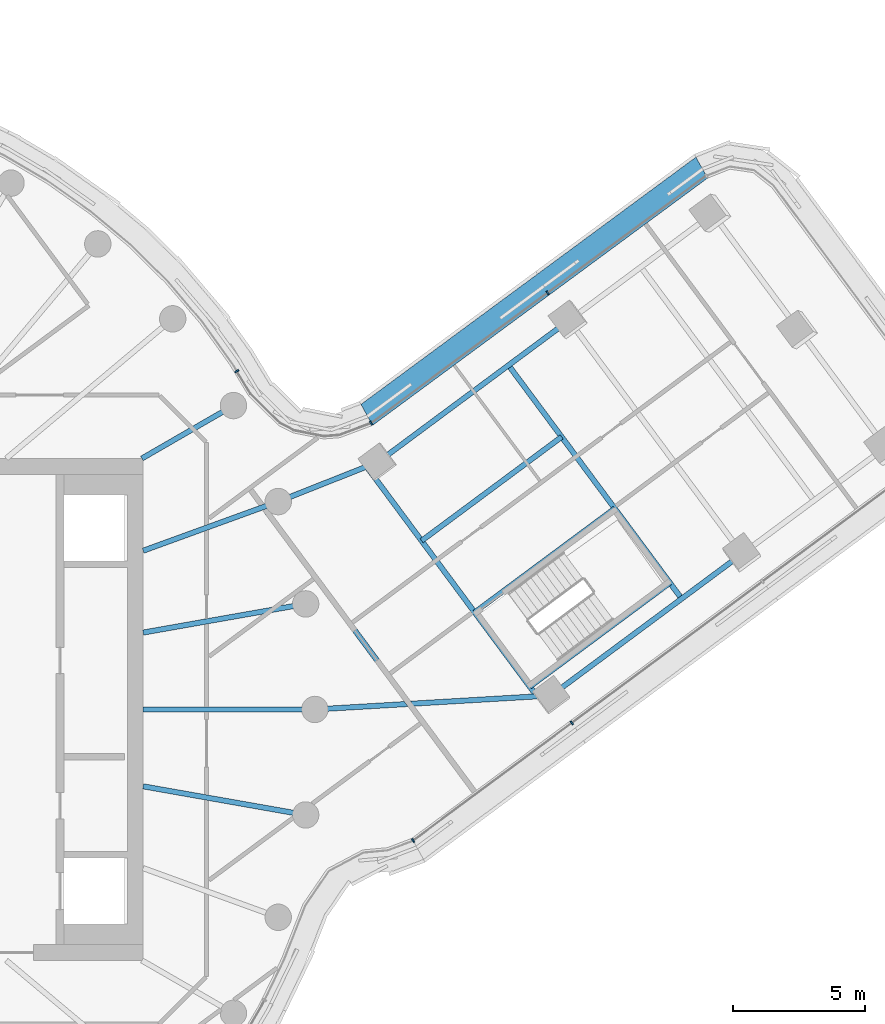
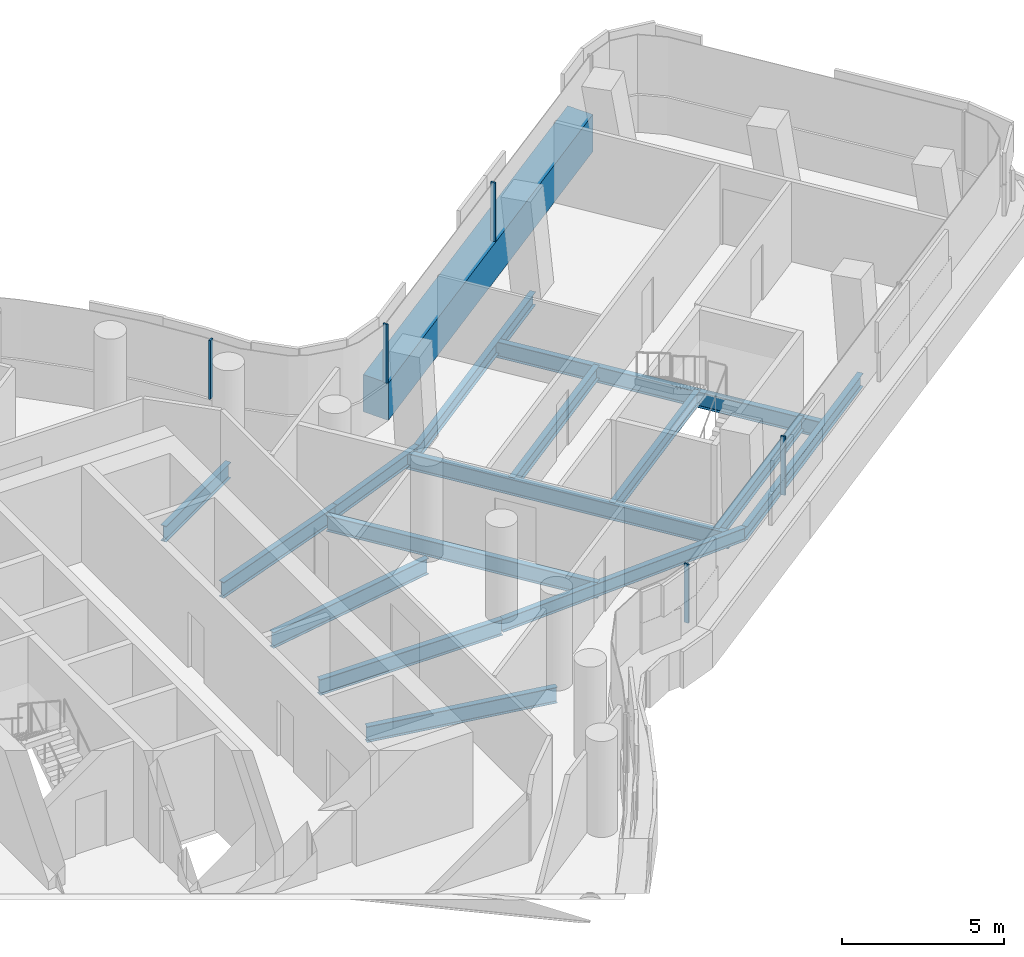
# One storey, part 12 of 32: 15 beams, 6 members, 3 elements without a shape of their own.
"""IFC4 building model written with IfcOpenShell, lengths in metres."""

import ifcopenshell
import ifcopenshell.guid

model = None  # the IFC model being written
_history = None  # IfcOwnerHistory: only IFC2X3 demands one
_inside = {}  # id of a spatial element -> (the spatial element, [elements in it])
_under = {}  # id of a project, library or spatial element -> (it, [spatial elements below it])
_declared = {}  # id of a project -> (the project, [libraries it declares])
_typed = {}  # id of a type object -> (the type object, [elements of that type])
_made_of = {}  # id of a material, layer set ... -> (it, [elements and type objects made of it])


def new_model(schema):
    """Start an empty IFC model of exactly this schema.

    Asked for "IFC4X3", IfcOpenShell would pick the latest addendum, in which some entities
    have other attributes; the version numbers below select the first issue.
    IFC2X3 requires an IfcOwnerHistory on every rooted entity: one is made here for all.
    """
    global model, _history
    if schema == "IFC4X3":
        model = ifcopenshell.file(schema_version=(4, 3, 0, 0))
    else:
        model = ifcopenshell.file(schema=schema)
    _inside.clear()
    _under.clear()
    _declared.clear()
    _typed.clear()
    _made_of.clear()
    _history = None
    if model.schema == "IFC2X3":
        org = make("IfcOrganization", Name="unknown")
        user = make(
            "IfcPersonAndOrganization",
            ThePerson=make("IfcPerson", FamilyName="unknown"),
            TheOrganization=org,
        )
        app = make(
            "IfcApplication",
            ApplicationDeveloper=org,
            Version="unknown",
            ApplicationFullName="unknown",
            ApplicationIdentifier="unknown",
        )
        _history = make(
            "IfcOwnerHistory",
            OwningUser=user,
            OwningApplication=app,
            ChangeAction="ADDED",
            CreationDate=0,
        )
    return model


def make(cls, **values):
    """One entity of the class cls with the attributes given. An attribute that is None is left unset."""
    return model.create_entity(
        cls, **{name: value for name, value in values.items() if value is not None}
    )


def rooted(cls, **values):
    """An entity with a GlobalId (a new one), such as an element, a storey or a relation."""
    return make(cls, GlobalId=ifcopenshell.guid.new(), OwnerHistory=_history, **values)


def si_unit(unit_type, name, prefix=None):
    """IfcSIUnit, for example si_unit("LENGTHUNIT", "METRE", prefix="MILLI")."""
    return make("IfcSIUnit", UnitType=unit_type, Prefix=prefix, Name=name)


def assignment(units):
    """IfcUnitAssignment: the units of a project."""
    return None if units is None else make("IfcUnitAssignment", Units=units)


def point(xyz):
    """IfcCartesianPoint."""
    return None if xyz is None else make("IfcCartesianPoint", Coordinates=xyz)


def direction(xyz):
    """IfcDirection."""
    return None if xyz is None else make("IfcDirection", DirectionRatios=xyz)


def frame(location, z_axis=None, x_axis=None):
    """IfcAxis2Placement3D, a coordinate frame: its origin and axes. An axis left out is left unset."""
    return make(
        "IfcAxis2Placement3D",
        Location=point(location),
        Axis=direction(z_axis),
        RefDirection=direction(x_axis),
    )


def frame_2d(location, x_axis=None):
    """IfcAxis2Placement2D, a coordinate frame in the plane: its origin and x axis."""
    return make(
        "IfcAxis2Placement2D", Location=point(location), RefDirection=direction(x_axis)
    )


def origin():
    """The frame at (0, 0, 0) with its axes left unset."""
    return frame((0.0, 0.0, 0.0))


def origin_2d():
    """The frame at (0, 0) in the plane with its x axis left unset."""
    return frame_2d((0.0, 0.0))


def place(relative_to, where):
    """IfcLocalPlacement: puts the frame where relative to a parent placement (None: the world)."""
    return make(
        "IfcLocalPlacement", PlacementRelTo=relative_to, RelativePlacement=where
    )


def context(
    kind, dimensions, precision=None, world=None, true_north=None, identifier=None
):
    """IfcGeometricRepresentationContext, for example the 3D "Model" context."""
    return make(
        "IfcGeometricRepresentationContext",
        ContextIdentifier=identifier,
        ContextType=kind,
        CoordinateSpaceDimension=dimensions,
        Precision=precision,
        WorldCoordinateSystem=world,
        TrueNorth=true_north,
    )


def subcontext(parent, identifier, kind, view, scale=None):
    """IfcGeometricRepresentationSubContext, for example "Body" below "Model"."""
    return make(
        "IfcGeometricRepresentationSubContext",
        ContextIdentifier=identifier,
        ContextType=kind,
        ParentContext=parent,
        TargetScale=scale,
        TargetView=view,
    )


def project(units=None, contexts=None):
    """IfcProject with its units and contexts."""
    return rooted(
        "IfcProject",
        Name="project",
        RepresentationContexts=contexts,
        UnitsInContext=assignment(units),
    )


def spatial(cls, under=None, at=None, **own):
    """A site, building, storey or space (cls), placed at a placement, below another one or the project."""
    s = rooted(cls, ObjectPlacement=at, **own)
    if under is not None:
        _under.setdefault(under.id(), (under, []))[1].append(s)
    return s


def polyline(points):
    """IfcPolyline through the points."""
    return make("IfcPolyline", Points=[point(p) for p in points])


def profile(cls, at=None, kind="AREA", **sizes):
    """A parametric profile (cls). Its sizes go by their IFC names, for example OverallWidth=200.0."""
    return make(cls, ProfileType=kind, Position=at, **sizes)


def rectangle(**sizes):
    """IfcRectangleProfileDef."""
    return profile("IfcRectangleProfileDef", **sizes)


def i_section(**sizes):
    """IfcIShapeProfileDef."""
    return profile("IfcIShapeProfileDef", **sizes)


def outline(outer, holes=None, kind="AREA"):
    """IfcArbitraryClosedProfileDef: a profile drawn as a closed curve; with holes, ...WithVoids."""
    if holes is None:
        return make("IfcArbitraryClosedProfileDef", ProfileType=kind, OuterCurve=outer)
    return make(
        "IfcArbitraryProfileDefWithVoids",
        ProfileType=kind,
        OuterCurve=outer,
        InnerCurves=holes,
    )


def extrude(swept, where, along, depth):
    """IfcExtrudedAreaSolid: the profile swept, set in the frame where, extruded along a direction by depth."""
    return make(
        "IfcExtrudedAreaSolid",
        SweptArea=swept,
        Position=where,
        ExtrudedDirection=direction(along),
        Depth=depth,
    )


def shape(context_of_items, identifier, shape_type, items):
    """IfcShapeRepresentation: the items that make up one representation, for example the "Body"."""
    return make(
        "IfcShapeRepresentation",
        ContextOfItems=context_of_items,
        RepresentationIdentifier=identifier,
        RepresentationType=shape_type,
        Items=items,
    )


def material(Name=None, Category=None):
    """IfcMaterial."""
    return make("IfcMaterial", Name=Name, Category=Category)


def layer(
    of_material, thickness, ventilated=None, Name=None, Category=None, Priority=None
):
    """IfcMaterialLayer: one layer of a wall or slab, of a material (None: an air gap)."""
    return make(
        "IfcMaterialLayer",
        Material=of_material,
        LayerThickness=thickness,
        IsVentilated=ventilated,
        Name=Name,
        Category=Category,
        Priority=Priority,
    )


def layer_set(layers, Name=None):
    """IfcMaterialLayerSet."""
    return make("IfcMaterialLayerSet", MaterialLayers=layers, LayerSetName=Name)


def material_profile(
    of_material, cross_section, Name=None, Category=None, Priority=None
):
    """IfcMaterialProfile: a cross section and its material."""
    return make(
        "IfcMaterialProfile",
        Name=Name,
        Material=of_material,
        Profile=cross_section,
        Priority=Priority,
        Category=Category,
    )


def profile_set(profiles, Name=None, composite=None):
    """IfcMaterialProfileSet."""
    return make(
        "IfcMaterialProfileSet",
        Name=Name,
        MaterialProfiles=profiles,
        CompositeProfile=composite,
    )


def made_of(thing, what):
    """Note that an element or type object is made of a material, layer set ...; save() writes the relation."""
    if what is not None:
        _made_of.setdefault(what.id(), (what, []))[1].append(thing)
    return thing


def type_object(cls, material=None, **own):
    """A type object (cls), such as IfcWallType, which elements share."""
    return made_of(rooted(cls, **own), material)


def element(
    cls,
    number,
    at=None,
    inside=None,
    cuts=None,
    type_object=None,
    material=None,
    context=None,
    identifier="Body",
    shape_type=None,
    held_by="IfcProductDefinitionShape",
    body=None,
    shapes=None,
    **own,
):
    """One element of the class cls, such as IfcWall. Its Tag is "e" and its number.

    at: its placement. inside: the storey or other place that contains it. cuts: it is an
    opening in that element (IfcRelVoidsElement). A single representation is given by context,
    identifier, shape_type and body (its items); several are given by shapes. held_by: the class
    of the entity that holds the representations. save() writes the other relations.
    """
    e = rooted(cls, Tag="e%d" % number, ObjectPlacement=at, **own)
    if body is not None:
        shapes = [shape(context, identifier, shape_type, body)]
    if shapes is not None:
        e.Representation = make(held_by, Representations=shapes)
    if inside is not None:
        _inside.setdefault(inside.id(), (inside, []))[1].append(e)
    if cuts is not None:
        rooted(
            "IfcRelVoidsElement", RelatingBuildingElement=cuts, RelatedOpeningElement=e
        )
    if type_object is not None:
        _typed.setdefault(type_object.id(), (type_object, []))[1].append(e)
    return made_of(e, material)


def aggregate(whole, parts):
    """IfcRelAggregates: a whole, such as a stair, and the parts it consists of."""
    return rooted("IfcRelAggregates", RelatingObject=whole, RelatedObjects=parts)


def save(model, path):
    """Write the relations noted so far, then the file.

    IfcRelAggregates (storeys below a building ...), IfcRelContainedInSpatialStructure (elements
    in a storey), IfcRelDefinesByType, IfcRelAssociatesMaterial and IfcRelDeclares: one each for
    every whole, place, type object, material and project.
    """
    for whole, parts in _under.values():
        aggregate(whole, parts)
    for where, things in _inside.values():
        rooted(
            "IfcRelContainedInSpatialStructure",
            RelatedElements=things,
            RelatingStructure=where,
        )
    for kind, things in _typed.values():
        rooted("IfcRelDefinesByType", RelatedObjects=things, RelatingType=kind)
    for what, things in _made_of.values():
        rooted("IfcRelAssociatesMaterial", RelatedObjects=things, RelatingMaterial=what)
    for by, libraries in _declared.values():
        rooted("IfcRelDeclares", RelatingContext=by, RelatedDefinitions=libraries)
    model.write(path)


model = new_model("IFC4")

# Units and contexts
model_context = context("Model", 3, precision=1e-05, world=origin(), true_north=direction((0.0, 1.0)))
body_context = subcontext(model_context, "Body", "Model", "MODEL_VIEW")
ifc_project = project(units=[si_unit("LENGTHUNIT", "METRE"), si_unit("AREAUNIT", "SQUARE_METRE"), si_unit("VOLUMEUNIT", "CUBIC_METRE"), si_unit("PLANEANGLEUNIT", "RADIAN"), si_unit("MASSUNIT", "GRAM", prefix="KILO")], contexts=[model_context])

# Site, building, storey
site_placement = place(None, origin())
site = spatial("IfcSite", under=ifc_project, at=site_placement, CompositionType="ELEMENT")
building_placement = place(site_placement, origin())
building = spatial("IfcBuilding", under=site, at=building_placement, Name="Tamarind Cross Interchange Tower", CompositionType="ELEMENT")
storey_placement = place(building_placement, frame((0.0, 0.0, 166.75)))
storey = spatial("IfcBuildingStorey", under=building, at=storey_placement, Name="L41", CompositionType="ELEMENT", Elevation=166.75)

# Beams
ifc_material_1 = material(Name="Steel Q355B", Category="steel")
ifc_material_profile_1 = material_profile(ifc_material_1, i_section(OverallWidth=0.198974609375, OverallDepth=0.49609375, WebThickness=0.009033203125, FlangeThickness=0.013916015625, FilletRadius=0.012939453125, at=origin_2d()), Name="HN 496x199x9x14")
ifc_profile_set_1 = profile_set([ifc_material_profile_1], Name="Steel Q355B")
beam_type_1 = type_object("IfcBeamType", Name="Composite beam HN 496x199x9x14 Q355B", PredefinedType="BEAM", material=ifc_profile_set_1)
beam_1_placement = place(storey_placement, frame((39.17138671875, 5.8896484375, -0.387939453125), z_axis=(-0.803152878036, -0.595772989067, 0.0), x_axis=(0.595772989067, -0.803152878036, 0.0)))
element("IfcBeam", 1, at=beam_1_placement, inside=storey, type_object=beam_type_1, Name="Beam E-edgeem6", PredefinedType="BEAM", context=body_context, shape_type="SweptSolid", body=[
    extrude(i_section(OverallWidth=0.198974609375, OverallDepth=0.49609375, WebThickness=0.009033203125, FlangeThickness=0.013916015625, FilletRadius=0.012939453125, at=origin_2d()), origin(), (0.0, 0.0, 1.0), 9.000244140625),
])
beam_2_placement = place(storey_placement, frame((32.61767578125, 14.724365234375, -0.387939453125), z_axis=(-0.803143249396, -0.595785969078, 0.0), x_axis=(0.595785969078, -0.803143249396, 0.0)))
element("IfcBeam", 2, at=beam_2_placement, inside=storey, type_object=beam_type_1, Name="Beam E-edgeep3", PredefinedType="BEAM", context=body_context, shape_type="SweptSolid", body=[
    extrude(i_section(OverallWidth=0.198974609375, OverallDepth=0.49609375, WebThickness=0.009033203125, FlangeThickness=0.013916015625, FilletRadius=0.012939453125, at=origin_2d()), origin(), (0.0, 0.0, 1.0), 9.0),
])
beam_3_placement = place(storey_placement, frame((31.94287109375, 0.527587890625, -0.387939453125), z_axis=(-0.998264303254, -0.058892960943, 0.0), x_axis=(0.058892960943, -0.998264303254, 0.0)))
element("IfcBeam", 3, at=beam_3_placement, inside=storey, type_object=beam_type_1, Name="Beam E-linkem", PredefinedType="BEAM", context=body_context, shape_type="SweptSolid", body=[
    extrude(i_section(OverallWidth=0.198974609375, OverallDepth=0.49609375, WebThickness=0.009033203125, FlangeThickness=0.013916015625, FilletRadius=0.012939453125, at=origin_2d()), origin(), (0.0, 0.0, 1.0), 8.95849609375),
])
beam_4_placement = place(storey_placement, frame((25.389404296875, 9.3623046875, -0.387939453125), z_axis=(-0.929719168177, -0.368269287783, 0.0), x_axis=(0.368269287783, -0.929719168177, 0.0)))
element("IfcBeam", 4, at=beam_4_placement, inside=storey, type_object=beam_type_1, Name="Beam E-linkep", PredefinedType="BEAM", context=body_context, shape_type="SweptSolid", body=[
    extrude(i_section(OverallWidth=0.198974609375, OverallDepth=0.49609375, WebThickness=0.009033203125, FlangeThickness=0.013916015625, FilletRadius=0.012939453125, at=origin_2d()), origin(), (0.0, 0.0, 1.0), 4.061767578125),
])
for number, where, z_axis, x_axis, name in (
    (5, (31.134765625, 0.86181640625, -0.387939453125), (0.803149415481, 0.595777656859, 0.0), (-0.595777656859, 0.803149415481, 0.0), "Beam E-tr0"),
    (6, (29.049560546875, 3.6728515625, -0.387939453125), (0.803149415481, 0.595777656859, 0.0), (-0.595777656859, 0.803149415481, 0.0), "Beam E-tr1"),
    (7, (27.038818359375, 6.383544921875, -0.387939453125), (0.803149415481, 0.595777656859, 0.0), (-0.595777656859, 0.803149415481, 0.0), "Beam E-stripp"),
):
    element("IfcBeam", number, at=place(storey_placement, frame(where, z_axis=z_axis, x_axis=x_axis)), inside=storey, type_object=beam_type_1, Name=name, PredefinedType="BEAM", context=body_context, shape_type="SweptSolid", body=[
        extrude(i_section(OverallWidth=0.198974609375, OverallDepth=0.49609375, WebThickness=0.009033203125, FlangeThickness=0.013916015625, FilletRadius=0.012939453125, at=origin_2d()), origin(), (0.0, 0.0, 1.0), 6.60009765625),
    ])
ifc_material_profile_2 = material_profile(ifc_material_1, i_section(OverallWidth=0.198974609375, OverallDepth=0.595947265625, WebThickness=0.010009765625, FlangeThickness=0.014892578125, FilletRadius=0.012939453125, at=origin_2d()), Name="HN 596x199x10x15")
ifc_profile_set_2 = profile_set([ifc_material_profile_2], Name="Steel Q355B")
beam_type_2 = type_object("IfcBeamType", Name="Composite beam HN 596x199x10x15 Q355B", PredefinedType="BEAM", material=ifc_profile_set_2)
beam_5_placement = place(storey_placement, frame((23.0, 0.0, -0.43798828125), z_axis=(-1.0, 0.0, 0.0), x_axis=(0.0, -1.0, 0.0)))
element("IfcBeam", 8, at=beam_5_placement, inside=storey, type_object=beam_type_2, Name="Beam HH00", PredefinedType="BEAM", context=body_context, shape_type="SweptSolid", body=[
    extrude(i_section(OverallWidth=0.198974609375, OverallDepth=0.595947265625, WebThickness=0.010009765625, FlangeThickness=0.014892578125, FilletRadius=0.012939453125, at=origin_2d()), origin(), (0.0, 0.0, 1.0), 6.5),
])
beam_6_placement = place(storey_placement, frame((22.650634765625, 3.993896484375, -0.43798828125), z_axis=(-0.984809127561, -0.173640382036, 0.0), x_axis=(0.173640382036, -0.984809127561, 0.0)))
element("IfcBeam", 9, at=beam_6_placement, inside=storey, type_object=beam_type_2, Name="Beam HH01", PredefinedType="BEAM", context=body_context, shape_type="SweptSolid", body=[
    extrude(i_section(OverallWidth=0.198974609375, OverallDepth=0.595947265625, WebThickness=0.010009765625, FlangeThickness=0.014892578125, FilletRadius=0.012939453125, at=origin_2d()), origin(), (0.0, 0.0, 1.0), 6.24560546875),
])
beam_7_placement = place(storey_placement, frame((21.613037109375, 7.866455078125, -0.43798828125), z_axis=(-0.939701685589, -0.341995236956, 0.0), x_axis=(0.341995236956, -0.939701685589, 0.0)))
element("IfcBeam", 10, at=beam_7_placement, inside=storey, type_object=beam_type_2, Name="Beam HH02", PredefinedType="BEAM", context=body_context, shape_type="SweptSolid", body=[
    extrude(i_section(OverallWidth=0.198974609375, OverallDepth=0.595947265625, WebThickness=0.010009765625, FlangeThickness=0.014892578125, FilletRadius=0.012939453125, at=origin_2d()), origin(), (0.0, 0.0, 1.0), 5.441162109375),
])
beam_8_placement = place(storey_placement, frame((19.918701171875, 11.5, -0.43798828125), z_axis=(-0.866026010844, -0.49999894854, 0.0), x_axis=(0.49999894854, -0.866026010844, 0.0)))
element("IfcBeam", 11, at=beam_8_placement, inside=storey, type_object=beam_type_2, Name="Beam HH03", PredefinedType="BEAM", context=body_context, shape_type="SweptSolid", body=[
    extrude(i_section(OverallWidth=0.198974609375, OverallDepth=0.595947265625, WebThickness=0.010009765625, FlangeThickness=0.014892578125, FilletRadius=0.012939453125, at=origin_2d()), origin(), (0.0, 0.0, 1.0), 4.0),
])
beam_9_placement = place(storey_placement, frame((22.650634765625, -3.993896484375, -0.43798828125), z_axis=(-0.984809127561, 0.173640382036, 0.0), x_axis=(-0.173640382036, -0.984809127561, 0.0)))
element("IfcBeam", 12, at=beam_9_placement, inside=storey, type_object=beam_type_2, Name="Beam HH35", PredefinedType="BEAM", context=body_context, shape_type="SweptSolid", body=[
    extrude(i_section(OverallWidth=0.198974609375, OverallDepth=0.595947265625, WebThickness=0.010009765625, FlangeThickness=0.014892578125, FilletRadius=0.012939453125, at=origin_2d()), origin(), (0.0, 0.0, 1.0), 6.24560546875),
])
ifc_material_profile_3 = material_profile(ifc_material_1, i_section(OverallWidth=0.199951171875, OverallDepth=0.60009765625, WebThickness=0.010986328125, FlangeThickness=0.01708984375, FilletRadius=0.012939453125, at=origin_2d()), Name="HN 600x200x11x17")
ifc_profile_set_3 = profile_set([ifc_material_profile_3], Name="Steel Q355B")
beam_type_3 = type_object("IfcBeamType", Name="Composite beam HN 600x200x11x17 Q355B", PredefinedType="BEAM", material=ifc_profile_set_3)
beam_10_placement = place(storey_placement, frame((31.406005859375, 0.495849609375, -0.43994140625), z_axis=(-0.59576997333, 0.80315511508, 0.0), x_axis=(-0.80315511508, -0.59576997333, 0.0)))
element("IfcBeam", 13, at=beam_10_placement, inside=storey, type_object=beam_type_3, Name="Beam E-x298", PredefinedType="BEAM", context=body_context, shape_type="SweptSolid", body=[
    extrude(i_section(OverallWidth=0.199951171875, OverallDepth=0.60009765625, WebThickness=0.010986328125, FlangeThickness=0.01708984375, FilletRadius=0.012939453125, at=origin_2d()), origin(), (0.0, 0.0, 1.0), 10.825927734375),
])
beam_11_placement = place(storey_placement, frame((36.88232421875, 4.191650390625, -0.43994140625), z_axis=(-0.595769344603, 0.803155581461, 0.0), x_axis=(-0.803155581461, -0.595769344603, 0.0)))
element("IfcBeam", 14, at=beam_11_placement, inside=storey, type_object=beam_type_3, Name="Beam E-x364", PredefinedType="BEAM", context=body_context, shape_type="SweptSolid", body=[
    extrude(i_section(OverallWidth=0.199951171875, OverallDepth=0.60009765625, WebThickness=0.010986328125, FlangeThickness=0.01708984375, FilletRadius=0.012939453125, at=origin_2d()), origin(), (0.0, 0.0, 1.0), 11.0),
])
beam_12_placement = place(storey_placement, frame((26.574951171875, 0.2109375, -0.43994140625), z_axis=(-0.595787229187, 0.803142314623, 0.0), x_axis=(-0.803142314623, -0.595787229187, 0.0)))
element("IfcBeam", 15, at=beam_12_placement, inside=storey, type_object=beam_type_3, Name="Beam E-x258", PredefinedType="BEAM", context=body_context, shape_type="SweptSolid", body=[
    extrude(i_section(OverallWidth=0.199951171875, OverallDepth=0.60009765625, WebThickness=0.010986328125, FlangeThickness=0.01708984375, FilletRadius=0.012939453125, at=origin_2d()), origin(), (0.0, 0.0, 1.0), 9.10498046875),
])

# Curtain wall, members
ifc_material_2 = material(Name="Aluminium 6063-T6", Category="aluminium")
ifc_layer = layer(ifc_material_2, 0.159912109375)
ifc_layer_set = layer_set([ifc_layer], Name="Aluminium 6063-T6")
curtain_wall_type = type_object("IfcCurtainWallType", Name="Office curtain wall, 9.0 m bays", PredefinedType="NOTDEFINED", material=ifc_layer_set)
curtain_wall_1_placement = place(storey_placement, origin())
curtain_wall_1 = element("IfcCurtainWall", 16, at=curtain_wall_1_placement, inside=storey, type_object=curtain_wall_type, Name="CWS-L41-01", PredefinedType="NOTDEFINED")
ifc_material_3 = material(Name="Aluminium and insulated spandrel panel", Category="aluminium")
member_type_1 = type_object("IfcMemberType", Name="Floor-edge blade transom", PredefinedType="USERDEFINED", material=ifc_material_3)
member_1_placement = place(storey_placement, origin())
member_1 = element("IfcMember", 17, at=member_1_placement, type_object=member_type_1, Name="CWT-L41-01", ObjectType="TRANSOM", PredefinedType="USERDEFINED", context=body_context, shape_type="SweptSolid", body=[
    extrude(outline(polyline([(37.863037109375, 20.109619140625), (25.17919921875, 10.748291015625), (24.745361328125, 11.546875), (37.423095703125, 20.9033203125), (37.863037109375, 20.109619140625)])), origin(), (0.0, 0.0, 1.0), 1.39990234375),
])
ifc_material_profile_4 = material_profile(ifc_material_2, rectangle(XDim=0.06005859375, YDim=0.159912109375, at=origin_2d()), Name="Mullion CW1")
ifc_profile_set_4 = profile_set([ifc_material_profile_4], Name="Aluminium 6063-T6")
member_type_2 = type_object("IfcMemberType", Name="Mullion CW1", PredefinedType="MULLION", material=ifc_profile_set_4)
member_2_placement = place(storey_placement, frame((31.810302734375, 15.7666015625, 1.39990234375), z_axis=(0.0, 0.0, 1.0), x_axis=(-0.804598427384, -0.593819308082, 0.0)))
member_2 = element("IfcMember", 18, at=member_2_placement, type_object=member_type_2, Name="CWM-L41-01-01", PredefinedType="MULLION", context=body_context, shape_type="SweptSolid", body=[
    extrude(rectangle(XDim=0.06005859375, YDim=0.159912109375, at=origin_2d()), origin(), (0.0, 0.0, 1.0), 2.210205078125),
])
aggregate(curtain_wall_1, [member_2, member_1])

curtain_wall_2_placement = place(storey_placement, origin())
curtain_wall_2 = element("IfcCurtainWall", 19, at=curtain_wall_2_placement, inside=storey, type_object=curtain_wall_type, Name="CWS-L41-02", PredefinedType="NOTDEFINED")
member_3_placement = place(storey_placement, frame((25.131103515625, 10.837158203125, 1.39990234375), z_axis=(0.0, 0.0, 1.0), x_axis=(-0.878677909453, -0.477415051542, 0.0)))
member_3 = element("IfcMember", 20, at=member_3_placement, type_object=member_type_2, Name="CWM-L41-02-00", PredefinedType="MULLION", context=body_context, shape_type="SweptSolid", body=[
    extrude(rectangle(XDim=0.06005859375, YDim=0.159912109375, at=origin_2d()), origin(), (0.0, 0.0, 1.0), 2.210205078125),
])
member_4_placement = place(storey_placement, frame((20.04443359375, 12.803466796875, 1.39990234375), z_axis=(0.0, 0.0, 1.0), x_axis=(-0.517314099566, 0.855795607835, 0.0)))
member_4 = element("IfcMember", 21, at=member_4_placement, type_object=member_type_2, Name="CWM-L41-02-01", PredefinedType="MULLION", context=body_context, shape_type="SweptSolid", body=[
    extrude(rectangle(XDim=0.06005859375, YDim=0.159912109375, at=origin_2d()), origin(), (0.0, 0.0, 1.0), 2.210205078125),
])
aggregate(curtain_wall_2, [member_3, member_4])

curtain_wall_3_placement = place(storey_placement, origin())
curtain_wall_3 = element("IfcCurtainWall", 22, at=curtain_wall_3_placement, inside=storey, type_object=curtain_wall_type, Name="CWS-L41-15", PredefinedType="NOTDEFINED")
member_5_placement = place(storey_placement, frame((26.720947265625, -4.964599609375, 1.39990234375), z_axis=(0.0, 0.0, 1.0), x_axis=(0.876906815042, 0.480660418313, 0.0)))
member_5 = element("IfcMember", 23, at=member_5_placement, type_object=member_type_2, Name="CWM-L41-15-00", PredefinedType="MULLION", context=body_context, shape_type="SweptSolid", body=[
    extrude(rectangle(XDim=0.06005859375, YDim=0.159912109375, at=origin_2d()), origin(), (0.0, 0.0, 1.0), 2.210205078125),
])
member_6_placement = place(storey_placement, frame((32.72607421875, -0.510009765625, 1.39990234375), z_axis=(0.0, 0.0, 1.0), x_axis=(0.803150344752, 0.595776404136, 0.0)))
member_6 = element("IfcMember", 24, at=member_6_placement, type_object=member_type_2, Name="CWM-L41-15-01", PredefinedType="MULLION", context=body_context, shape_type="SweptSolid", body=[
    extrude(rectangle(XDim=0.06005859375, YDim=0.159912109375, at=origin_2d()), origin(), (0.0, 0.0, 1.0), 2.210205078125),
])
aggregate(curtain_wall_3, [member_5, member_6])

save(model, "model.ifc")
